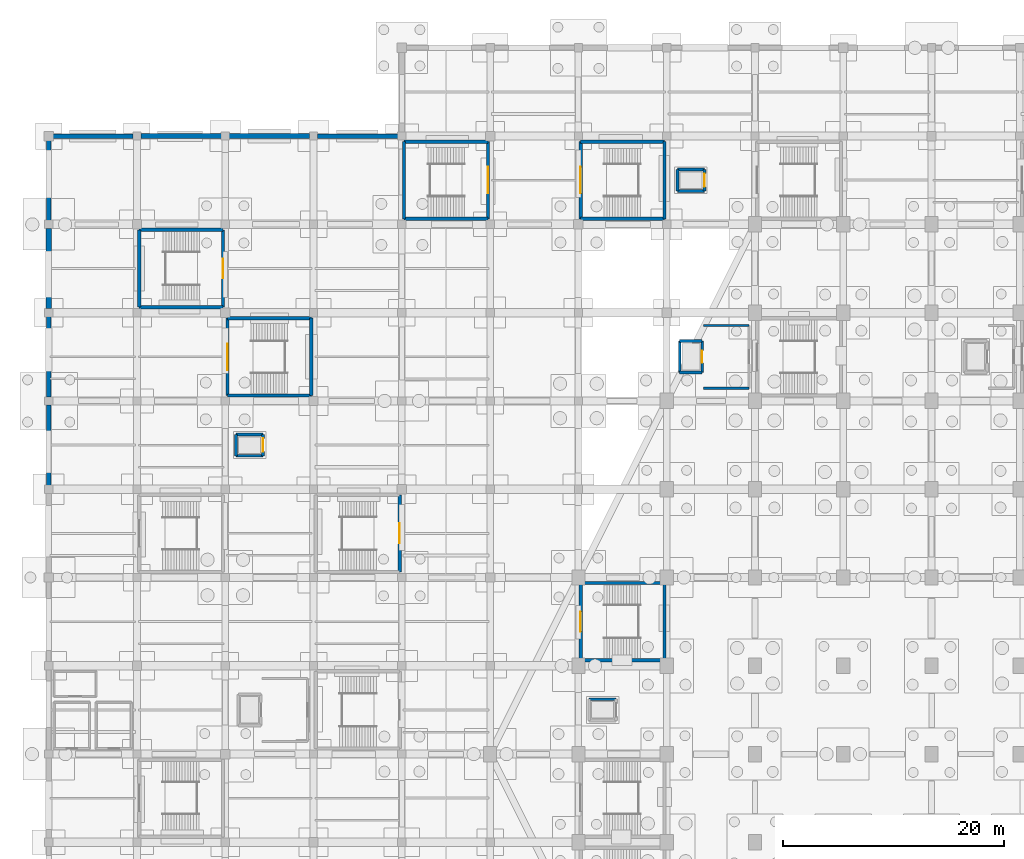
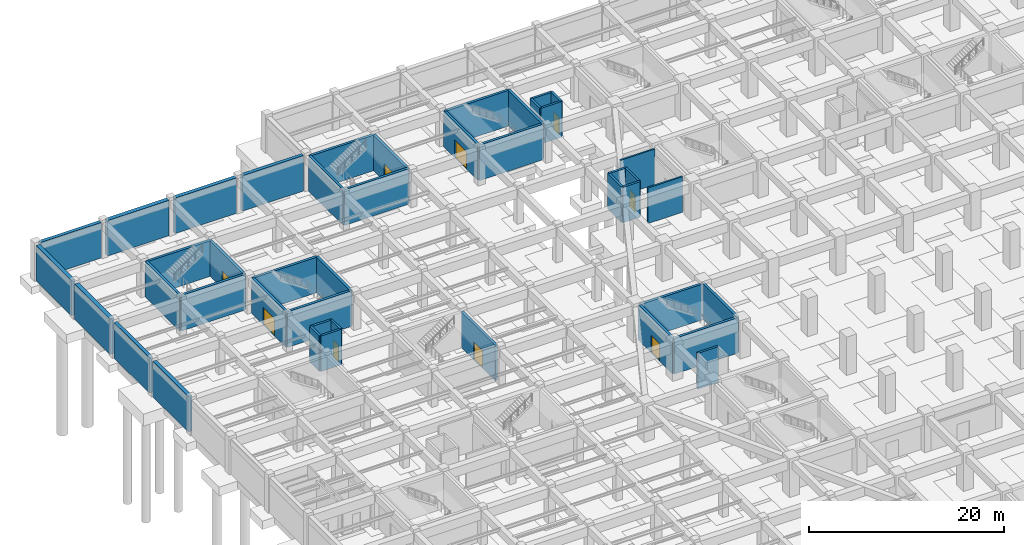
# One storey, part 26 of 36: 44 walls, 9 doors, 9 openings.
"""IFC4 building model written with IfcOpenShell, lengths in metres."""

from ifc_helpers import new_model, si_unit, direction, frame, frame_2d, origin, place, context, subcontext, project, spatial, rectangle, extrude, material, layer, layer_set, type_object, element, fill, save


model = new_model("IFC4")

# Units and contexts
model_context = context("Model", 3, precision=1e-05, world=origin(), true_north=direction((0.0, 1.0)))
body_context = subcontext(model_context, "Body", "Model", "MODEL_VIEW")
ifc_project = project(units=[si_unit("LENGTHUNIT", "METRE"), si_unit("AREAUNIT", "SQUARE_METRE"), si_unit("VOLUMEUNIT", "CUBIC_METRE"), si_unit("PLANEANGLEUNIT", "RADIAN"), si_unit("MASSUNIT", "GRAM", prefix="KILO")], contexts=[model_context])

# Site, building, storey
site_placement = place(None, origin())
site = spatial("IfcSite", under=ifc_project, at=site_placement, CompositionType="ELEMENT")
building_placement = place(site_placement, origin())
building = spatial("IfcBuilding", under=site, at=building_placement, Name="Tazarka Park Arena", CompositionType="ELEMENT")
storey_placement = place(building_placement, frame((0.0, 0.0, -4.800048828125)))
storey = spatial("IfcBuildingStorey", under=building, at=storey_placement, Name="B1", CompositionType="ELEMENT", Elevation=-4.800048828125)

# Wall
ifc_material_1 = material(Name="Concrete C40/50", Category="concrete")
ifc_layer_1 = layer(ifc_material_1, 0.300048828125, Name="Concrete C40/50")
ifc_layer_set_1 = layer_set([ifc_layer_1], Name="Concrete C40/50")
wall_type_1 = type_object("IfcWallType", Name="IWAL-CW-S1", PredefinedType="SHEAR", material=ifc_layer_set_1)
wall_1_placement = place(storey_placement, frame((23.800048828125, 96.5, 0.0), z_axis=(0.0, 0.0, 1.0), x_axis=(-1.0, 0.0, 0.0)))
element("IfcWall", 1, at=wall_1_placement, inside=storey, type_object=wall_type_1, Name="SCW-B1-ST03-S", PredefinedType="SHEAR", context=body_context, shape_type="SweptSolid", body=[
    extrude(rectangle(XDim=7.60009765625, YDim=0.300048828125, at=frame_2d((3.800048828125, 0.0))), origin(), (0.0, 0.0, 1.0), 4.4599609375),
])

# Wall, opening, door
wall_2_placement = place(storey_placement, frame((16.199951171875, 96.5, 0.0), z_axis=(0.0, 0.0, 1.0), x_axis=(0.0, 1.0, 0.0)))
wall_2 = element("IfcWall", 2, at=wall_2_placement, inside=storey, type_object=wall_type_1, Name="SCW-B1-ST03-W", PredefinedType="SHEAR", context=body_context, shape_type="SweptSolid", body=[
    extrude(rectangle(XDim=7.0, YDim=0.300048828125, at=frame_2d((3.5, 0.0))), origin(), (0.0, 0.0, 1.0), 4.4599609375),
])
opening_1_placement = place(wall_2_placement, frame((2.300048828125, 0.0, 0.0)))
opening_1 = element("IfcOpeningElement", 3, at=opening_1_placement, cuts=wall_2, Name="Opening ID-05", PredefinedType="OPENING", context=body_context, shape_type="SweptSolid", body=[
    extrude(rectangle(XDim=2.39990234375, YDim=2.199951171875, at=frame_2d((1.199951171875, 1.10009765625))), frame((0.0, 0.16015625, 0.0), z_axis=(0.0, -1.0, 0.0), x_axis=(1.0, 0.0, 0.0)), (0.0, 0.0, 1.0), 0.320068359375),
])
ifc_material_2 = material(Name="Fire-rated powder-coated steel and acoustic timber", Category="steel")
door_type_1 = type_object("IfcDoorType", Name="IDR-ID-05", OperationType="NOTDEFINED", PredefinedType="DOOR", material=ifc_material_2)
door_1_placement = place(opening_1_placement, frame((2.39990234375, 0.0, 0.0), z_axis=(0.0, 0.0, 1.0), x_axis=(-1.0, 0.0, 0.0)))
door_1 = element("IfcDoor", 4, at=door_1_placement, inside=storey, type_object=door_type_1, Name="Exit Stair Door ST03-B1", OperationType="DOUBLE_DOOR_SINGLE_SWING", OverallHeight=2.199951171875, OverallWidth=2.39990234375, PredefinedType="DOOR", context=body_context, shape_type="SweptSolid", body=[
    extrude(rectangle(XDim=2.39990234375, YDim=2.199951171875, at=frame_2d((1.199951171875, 1.10009765625))), frame((0.0, 0.02490234375, 0.0), z_axis=(0.0, -1.0, 0.0), x_axis=(1.0, 0.0, 0.0)), (0.0, 0.0, 1.0), 0.050048828125),
])
fill(opening_1, door_1)

# Walls
wall_3_placement = place(storey_placement, frame((16.199951171875, 103.5, 0.0), z_axis=(0.0, 0.0, 1.0), x_axis=(1.0, 0.0, 0.0)))
element("IfcWall", 5, at=wall_3_placement, inside=storey, type_object=wall_type_1, Name="SCW-B1-ST03-N", PredefinedType="SHEAR", context=body_context, shape_type="SweptSolid", body=[
    extrude(rectangle(XDim=7.60009765625, YDim=0.300048828125, at=frame_2d((3.800048828125, 0.0))), origin(), (0.0, 0.0, 1.0), 4.4599609375),
])
wall_4_placement = place(storey_placement, frame((23.800048828125, 103.5, 0.0), z_axis=(0.0, 0.0, 1.0), x_axis=(0.0, -1.0, 0.0)))
element("IfcWall", 6, at=wall_4_placement, inside=storey, type_object=wall_type_1, Name="SCW-B1-ST03-E", PredefinedType="SHEAR", context=body_context, shape_type="SweptSolid", body=[
    extrude(rectangle(XDim=7.0, YDim=0.300048828125, at=frame_2d((3.5, 0.0))), origin(), (0.0, 0.0, 1.0), 4.4599609375),
])
wall_5_placement = place(storey_placement, frame((39.800048828125, 112.5, 0.0), z_axis=(0.0, 0.0, 1.0), x_axis=(-1.0, 0.0, 0.0)))
element("IfcWall", 7, at=wall_5_placement, inside=storey, type_object=wall_type_1, Name="SCW-B1-ST04-S", PredefinedType="SHEAR", context=body_context, shape_type="SweptSolid", body=[
    extrude(rectangle(XDim=7.60009765625, YDim=0.300048828125, at=frame_2d((3.800048828125, 0.0))), origin(), (0.0, 0.0, 1.0), 4.4599609375),
])
wall_6_placement = place(storey_placement, frame((32.199951171875, 112.5, 0.0), z_axis=(0.0, 0.0, 1.0), x_axis=(0.0, 1.0, 0.0)))
element("IfcWall", 8, at=wall_6_placement, inside=storey, type_object=wall_type_1, Name="SCW-B1-ST04-W", PredefinedType="SHEAR", context=body_context, shape_type="SweptSolid", body=[
    extrude(rectangle(XDim=7.0, YDim=0.300048828125, at=frame_2d((3.5, 0.0))), origin(), (0.0, 0.0, 1.0), 4.4599609375),
])
wall_7_placement = place(storey_placement, frame((32.199951171875, 119.5, 0.0), z_axis=(0.0, 0.0, 1.0), x_axis=(1.0, 0.0, 0.0)))
element("IfcWall", 9, at=wall_7_placement, inside=storey, type_object=wall_type_1, Name="SCW-B1-ST04-N", PredefinedType="SHEAR", context=body_context, shape_type="SweptSolid", body=[
    extrude(rectangle(XDim=7.60009765625, YDim=0.300048828125, at=frame_2d((3.800048828125, 0.0))), origin(), (0.0, 0.0, 1.0), 4.4599609375),
])

# Wall, opening, door
wall_8_placement = place(storey_placement, frame((39.800048828125, 119.5, 0.0), z_axis=(0.0, 0.0, 1.0), x_axis=(0.0, -1.0, 0.0)))
wall_8 = element("IfcWall", 10, at=wall_8_placement, inside=storey, type_object=wall_type_1, Name="SCW-B1-ST04-E", PredefinedType="SHEAR", context=body_context, shape_type="SweptSolid", body=[
    extrude(rectangle(XDim=7.0, YDim=0.300048828125, at=frame_2d((3.5, 0.0))), origin(), (0.0, 0.0, 1.0), 4.4599609375),
])
opening_2_placement = place(wall_8_placement, frame((2.300048828125, 0.0, 0.0)))
opening_2 = element("IfcOpeningElement", 11, at=opening_2_placement, cuts=wall_8, Name="Opening ID-05", PredefinedType="OPENING", context=body_context, shape_type="SweptSolid", body=[
    extrude(rectangle(XDim=2.39990234375, YDim=2.199951171875, at=frame_2d((1.199951171875, 1.10009765625))), frame((0.0, 0.16015625, 0.0), z_axis=(0.0, -1.0, 0.0), x_axis=(1.0, 0.0, 0.0)), (0.0, 0.0, 1.0), 0.320068359375),
])
door_2_placement = place(opening_2_placement, frame((2.39990234375, 0.0, 0.0), z_axis=(0.0, 0.0, 1.0), x_axis=(-1.0, 0.0, 0.0)))
door_2 = element("IfcDoor", 12, at=door_2_placement, inside=storey, type_object=door_type_1, Name="Exit Stair Door ST04-B1", OperationType="DOUBLE_DOOR_SINGLE_SWING", OverallHeight=2.199951171875, OverallWidth=2.39990234375, PredefinedType="DOOR", context=body_context, shape_type="SweptSolid", body=[
    extrude(rectangle(XDim=2.39990234375, YDim=2.199951171875, at=frame_2d((1.199951171875, 1.10009765625))), frame((0.0, 0.02490234375, 0.0), z_axis=(0.0, -1.0, 0.0), x_axis=(1.0, 0.0, 0.0)), (0.0, 0.0, 1.0), 0.050048828125),
])
fill(opening_2, door_2)

# Wall
wall_9_placement = place(storey_placement, frame((55.800048828125, 112.5, 0.0), z_axis=(0.0, 0.0, 1.0), x_axis=(-1.0, 0.0, 0.0)))
element("IfcWall", 13, at=wall_9_placement, inside=storey, type_object=wall_type_1, Name="SCW-B1-ST05-S", PredefinedType="SHEAR", context=body_context, shape_type="SweptSolid", body=[
    extrude(rectangle(XDim=7.60009765625, YDim=0.300048828125, at=frame_2d((3.800048828125, 0.0))), origin(), (0.0, 0.0, 1.0), 4.4599609375),
])

# Wall, opening, door
wall_10_placement = place(storey_placement, frame((48.199951171875, 112.5, 0.0), z_axis=(0.0, 0.0, 1.0), x_axis=(0.0, 1.0, 0.0)))
wall_10 = element("IfcWall", 14, at=wall_10_placement, inside=storey, type_object=wall_type_1, Name="SCW-B1-ST05-W", PredefinedType="SHEAR", context=body_context, shape_type="SweptSolid", body=[
    extrude(rectangle(XDim=7.0, YDim=0.300048828125, at=frame_2d((3.5, 0.0))), origin(), (0.0, 0.0, 1.0), 4.4599609375),
])
opening_3_placement = place(wall_10_placement, frame((2.300048828125, 0.0, 0.0)))
opening_3 = element("IfcOpeningElement", 15, at=opening_3_placement, cuts=wall_10, Name="Opening ID-05", PredefinedType="OPENING", context=body_context, shape_type="SweptSolid", body=[
    extrude(rectangle(XDim=2.39990234375, YDim=2.199951171875, at=frame_2d((1.199951171875, 1.10009765625))), frame((0.0, 0.16015625, 0.0), z_axis=(0.0, -1.0, 0.0), x_axis=(1.0, 0.0, 0.0)), (0.0, 0.0, 1.0), 0.320068359375),
])
door_3_placement = place(opening_3_placement, frame((2.39990234375, 0.0, 0.0), z_axis=(0.0, 0.0, 1.0), x_axis=(-1.0, 0.0, 0.0)))
door_3 = element("IfcDoor", 16, at=door_3_placement, inside=storey, type_object=door_type_1, Name="Exit Stair Door ST05-B1", OperationType="DOUBLE_DOOR_SINGLE_SWING", OverallHeight=2.199951171875, OverallWidth=2.39990234375, PredefinedType="DOOR", context=body_context, shape_type="SweptSolid", body=[
    extrude(rectangle(XDim=2.39990234375, YDim=2.199951171875, at=frame_2d((1.199951171875, 1.10009765625))), frame((0.0, 0.02490234375, 0.0), z_axis=(0.0, -1.0, 0.0), x_axis=(1.0, 0.0, 0.0)), (0.0, 0.0, 1.0), 0.050048828125),
])
fill(opening_3, door_3)

# Walls
wall_11_placement = place(storey_placement, frame((48.199951171875, 119.5, 0.0), z_axis=(0.0, 0.0, 1.0), x_axis=(1.0, 0.0, 0.0)))
element("IfcWall", 17, at=wall_11_placement, inside=storey, type_object=wall_type_1, Name="SCW-B1-ST05-N", PredefinedType="SHEAR", context=body_context, shape_type="SweptSolid", body=[
    extrude(rectangle(XDim=7.60009765625, YDim=0.300048828125, at=frame_2d((3.800048828125, 0.0))), origin(), (0.0, 0.0, 1.0), 4.4599609375),
])
wall_12_placement = place(storey_placement, frame((55.800048828125, 119.5, 0.0), z_axis=(0.0, 0.0, 1.0), x_axis=(0.0, -1.0, 0.0)))
element("IfcWall", 18, at=wall_12_placement, inside=storey, type_object=wall_type_1, Name="SCW-B1-ST05-E", PredefinedType="SHEAR", context=body_context, shape_type="SweptSolid", body=[
    extrude(rectangle(XDim=7.0, YDim=0.300048828125, at=frame_2d((3.5, 0.0))), origin(), (0.0, 0.0, 1.0), 4.4599609375),
])
wall_13_placement = place(storey_placement, frame((55.800048828125, 72.5, 0.0), z_axis=(0.0, 0.0, 1.0), x_axis=(-1.0, 0.0, 0.0)))
element("IfcWall", 19, at=wall_13_placement, inside=storey, type_object=wall_type_1, Name="SCW-B1-ST20-S", PredefinedType="SHEAR", context=body_context, shape_type="SweptSolid", body=[
    extrude(rectangle(XDim=7.60009765625, YDim=0.300048828125, at=frame_2d((3.800048828125, 0.0))), origin(), (0.0, 0.0, 1.0), 4.4599609375),
])

# Wall, opening, door
wall_14_placement = place(storey_placement, frame((48.199951171875, 72.5, 0.0), z_axis=(0.0, 0.0, 1.0), x_axis=(0.0, 1.0, 0.0)))
wall_14 = element("IfcWall", 20, at=wall_14_placement, inside=storey, type_object=wall_type_1, Name="SCW-B1-ST20-W", PredefinedType="SHEAR", context=body_context, shape_type="SweptSolid", body=[
    extrude(rectangle(XDim=7.0, YDim=0.300048828125, at=frame_2d((3.5, 0.0))), origin(), (0.0, 0.0, 1.0), 4.4599609375),
])
opening_4_placement = place(wall_14_placement, frame((2.60009765625, 0.0, 0.0)))
opening_4 = element("IfcOpeningElement", 21, at=opening_4_placement, cuts=wall_14, Name="Opening ID-04", PredefinedType="OPENING", context=body_context, shape_type="SweptSolid", body=[
    extrude(rectangle(XDim=1.800048828125, YDim=2.199951171875, at=frame_2d((0.89990234375, 1.10009765625))), frame((0.0, 0.16015625, 0.0), z_axis=(0.0, -1.0, 0.0), x_axis=(1.0, 0.0, 0.0)), (0.0, 0.0, 1.0), 0.320068359375),
])
ifc_material_3 = material(Name="Fire-rated powder-coated steel and acoustic timber", Category="steel")
door_type_2 = type_object("IfcDoorType", Name="IDR-ID-04", OperationType="NOTDEFINED", PredefinedType="DOOR", material=ifc_material_3)
door_4_placement = place(opening_4_placement, frame((1.800048828125, 0.0, 0.0), z_axis=(0.0, 0.0, 1.0), x_axis=(-1.0, 0.0, 0.0)))
door_4 = element("IfcDoor", 22, at=door_4_placement, inside=storey, type_object=door_type_2, Name="Vomitory Stair Door ST20-B1", OperationType="DOUBLE_DOOR_SINGLE_SWING", OverallHeight=2.199951171875, OverallWidth=1.800048828125, PredefinedType="DOOR", context=body_context, shape_type="SweptSolid", body=[
    extrude(rectangle(XDim=1.800048828125, YDim=2.199951171875, at=frame_2d((0.89990234375, 1.10009765625))), frame((0.0, 0.02490234375, 0.0), z_axis=(0.0, -1.0, 0.0), x_axis=(1.0, 0.0, 0.0)), (0.0, 0.0, 1.0), 0.050048828125),
])
fill(opening_4, door_4)

# Walls
wall_15_placement = place(storey_placement, frame((48.199951171875, 79.5, 0.0), z_axis=(0.0, 0.0, 1.0), x_axis=(1.0, 0.0, 0.0)))
element("IfcWall", 23, at=wall_15_placement, inside=storey, type_object=wall_type_1, Name="SCW-B1-ST20-N", PredefinedType="SHEAR", context=body_context, shape_type="SweptSolid", body=[
    extrude(rectangle(XDim=7.60009765625, YDim=0.300048828125, at=frame_2d((3.800048828125, 0.0))), origin(), (0.0, 0.0, 1.0), 4.4599609375),
])
wall_16_placement = place(storey_placement, frame((55.800048828125, 79.5, 0.0), z_axis=(0.0, 0.0, 1.0), x_axis=(0.0, -1.0, 0.0)))
element("IfcWall", 24, at=wall_16_placement, inside=storey, type_object=wall_type_1, Name="SCW-B1-ST20-E", PredefinedType="SHEAR", context=body_context, shape_type="SweptSolid", body=[
    extrude(rectangle(XDim=7.0, YDim=0.300048828125, at=frame_2d((3.5, 0.0))), origin(), (0.0, 0.0, 1.0), 4.4599609375),
])
wall_17_placement = place(storey_placement, frame((15.800048828125, 104.5, 0.0), z_axis=(0.0, 0.0, 1.0), x_axis=(-1.0, 0.0, 0.0)))
element("IfcWall", 25, at=wall_17_placement, inside=storey, type_object=wall_type_1, Name="SCW-B1-ST25-S", PredefinedType="SHEAR", context=body_context, shape_type="SweptSolid", body=[
    extrude(rectangle(XDim=7.60009765625, YDim=0.300048828125, at=frame_2d((3.800048828125, 0.0))), origin(), (0.0, 0.0, 1.0), 4.4599609375),
])
wall_18_placement = place(storey_placement, frame((8.199951171875, 104.5, 0.0), z_axis=(0.0, 0.0, 1.0), x_axis=(0.0, 1.0, 0.0)))
element("IfcWall", 26, at=wall_18_placement, inside=storey, type_object=wall_type_1, Name="SCW-B1-ST25-W", PredefinedType="SHEAR", context=body_context, shape_type="SweptSolid", body=[
    extrude(rectangle(XDim=7.0, YDim=0.300048828125, at=frame_2d((3.5, 0.0))), origin(), (0.0, 0.0, 1.0), 4.4599609375),
])
wall_19_placement = place(storey_placement, frame((8.199951171875, 111.5, 0.0), z_axis=(0.0, 0.0, 1.0), x_axis=(1.0, 0.0, 0.0)))
element("IfcWall", 27, at=wall_19_placement, inside=storey, type_object=wall_type_1, Name="SCW-B1-ST25-N", PredefinedType="SHEAR", context=body_context, shape_type="SweptSolid", body=[
    extrude(rectangle(XDim=7.60009765625, YDim=0.300048828125, at=frame_2d((3.800048828125, 0.0))), origin(), (0.0, 0.0, 1.0), 4.4599609375),
])

# Wall, opening, door
wall_20_placement = place(storey_placement, frame((15.800048828125, 111.5, 0.0), z_axis=(0.0, 0.0, 1.0), x_axis=(0.0, -1.0, 0.0)))
wall_20 = element("IfcWall", 28, at=wall_20_placement, inside=storey, type_object=wall_type_1, Name="SCW-B1-ST25-E", PredefinedType="SHEAR", context=body_context, shape_type="SweptSolid", body=[
    extrude(rectangle(XDim=7.0, YDim=0.300048828125, at=frame_2d((3.5, 0.0))), origin(), (0.0, 0.0, 1.0), 4.4599609375),
])
opening_5_placement = place(wall_20_placement, frame((2.60009765625, 0.0, 0.0)))
opening_5 = element("IfcOpeningElement", 29, at=opening_5_placement, cuts=wall_20, Name="Opening ID-04", PredefinedType="OPENING", context=body_context, shape_type="SweptSolid", body=[
    extrude(rectangle(XDim=1.800048828125, YDim=2.199951171875, at=frame_2d((0.89990234375, 1.10009765625))), frame((0.0, 0.16015625, 0.0), z_axis=(0.0, -1.0, 0.0), x_axis=(1.0, 0.0, 0.0)), (0.0, 0.0, 1.0), 0.320068359375),
])
door_5_placement = place(opening_5_placement, frame((1.800048828125, 0.0, 0.0), z_axis=(0.0, 0.0, 1.0), x_axis=(-1.0, 0.0, 0.0)))
door_5 = element("IfcDoor", 30, at=door_5_placement, inside=storey, type_object=door_type_2, Name="Vomitory Stair Door ST25-B1", OperationType="DOUBLE_DOOR_SINGLE_SWING", OverallHeight=2.199951171875, OverallWidth=1.800048828125, PredefinedType="DOOR", context=body_context, shape_type="SweptSolid", body=[
    extrude(rectangle(XDim=1.800048828125, YDim=2.199951171875, at=frame_2d((0.89990234375, 1.10009765625))), frame((0.0, 0.02490234375, 0.0), z_axis=(0.0, -1.0, 0.0), x_axis=(1.0, 0.0, 0.0)), (0.0, 0.0, 1.0), 0.050048828125),
])
fill(opening_5, door_5)

wall_21_placement = place(storey_placement, frame((31.800048828125, 87.5, 0.0), z_axis=(0.0, 0.0, 1.0), x_axis=(0.0, -1.0, 0.0)))
wall_21 = element("IfcWall", 31, at=wall_21_placement, inside=storey, type_object=wall_type_1, Name="SCW-B1-ST26-E", PredefinedType="SHEAR", context=body_context, shape_type="SweptSolid", body=[
    extrude(rectangle(XDim=7.0, YDim=0.300048828125, at=frame_2d((3.5, 0.0))), origin(), (0.0, 0.0, 1.0), 4.4599609375),
])
opening_6_placement = place(wall_21_placement, frame((2.60009765625, 0.0, 0.0)))
opening_6 = element("IfcOpeningElement", 32, at=opening_6_placement, cuts=wall_21, Name="Opening ID-04", PredefinedType="OPENING", context=body_context, shape_type="SweptSolid", body=[
    extrude(rectangle(XDim=1.800048828125, YDim=2.199951171875, at=frame_2d((0.89990234375, 1.10009765625))), frame((0.0, 0.16015625, 0.0), z_axis=(0.0, -1.0, 0.0), x_axis=(1.0, 0.0, 0.0)), (0.0, 0.0, 1.0), 0.320068359375),
])
door_6_placement = place(opening_6_placement, frame((1.800048828125, 0.0, 0.0), z_axis=(0.0, 0.0, 1.0), x_axis=(-1.0, 0.0, 0.0)))
door_6 = element("IfcDoor", 33, at=door_6_placement, inside=storey, type_object=door_type_2, Name="Vomitory Stair Door ST26-B1", OperationType="DOUBLE_DOOR_SINGLE_SWING", OverallHeight=2.199951171875, OverallWidth=1.800048828125, PredefinedType="DOOR", context=body_context, shape_type="SweptSolid", body=[
    extrude(rectangle(XDim=1.800048828125, YDim=2.199951171875, at=frame_2d((0.89990234375, 1.10009765625))), frame((0.0, 0.02490234375, 0.0), z_axis=(0.0, -1.0, 0.0), x_axis=(1.0, 0.0, 0.0)), (0.0, 0.0, 1.0), 0.050048828125),
])
fill(opening_6, door_6)

# Walls
ifc_material_4 = material(Name="Concrete C40/50", Category="concrete")
ifc_layer_2 = layer(ifc_material_4, 0.260009765625, Name="Concrete C40/50")
ifc_layer_set_2 = layer_set([ifc_layer_2], Name="Concrete C40/50")
wall_type_2 = type_object("IfcWallType", Name="IWAL-CW-S3", PredefinedType="SHEAR", material=ifc_layer_set_2)
wall_22_placement = place(storey_placement, frame((57.179931640625, 98.580078125, 0.0), z_axis=(0.0, 0.0, 1.0), x_axis=(0.0, 1.0, 0.0)))
element("IfcWall", 34, at=wall_22_placement, inside=storey, type_object=wall_type_2, Name="LSW-B1-LF-02-W", PredefinedType="SHEAR", context=body_context, shape_type="SweptSolid", body=[
    extrude(rectangle(XDim=2.83984375, YDim=0.260009765625, at=frame_2d((1.419921875, 0.0))), origin(), (0.0, 0.0, 1.0), 4.4599609375),
])
for number, where, z_axis, x_axis, name in (
    (35, (57.179931640625, 101.419921875, 0.0), (0.0, 0.0, 1.0), (1.0, 0.0, 0.0), "LSW-B1-LF-02-N"),
    (36, (59.219970703125, 98.580078125, 0.0), (0.0, 0.0, 1.0), (-1.0, 0.0, 0.0), "LSW-B1-LF-02-S"),
):
    element("IfcWall", number, at=place(storey_placement, frame(where, z_axis=z_axis, x_axis=x_axis)), inside=storey, type_object=wall_type_2, Name=name, PredefinedType="SHEAR", context=body_context, shape_type="SweptSolid", body=[
        extrude(rectangle(XDim=2.0400390625, YDim=0.260009765625, at=frame_2d((1.02001953125, 0.0))), origin(), (0.0, 0.0, 1.0), 4.4599609375),
    ])

# Wall, opening, door
wall_23_placement = place(storey_placement, frame((59.219970703125, 101.419921875, 0.0), z_axis=(0.0, 0.0, 1.0), x_axis=(0.0, -1.0, 0.0)))
wall_23 = element("IfcWall", 37, at=wall_23_placement, inside=storey, type_object=wall_type_2, Name="LSW-B1-LF-02-E", PredefinedType="SHEAR", context=body_context, shape_type="SweptSolid", body=[
    extrude(rectangle(XDim=2.83984375, YDim=0.260009765625, at=frame_2d((1.419921875, 0.0))), origin(), (0.0, 0.0, 1.0), 4.4599609375),
])
opening_7_placement = place(wall_23_placement, frame((0.8701171875, 0.0, 0.0)))
opening_7 = element("IfcOpeningElement", 38, at=opening_7_placement, cuts=wall_23, Name="Opening LD-01", PredefinedType="OPENING", context=body_context, shape_type="SweptSolid", body=[
    extrude(rectangle(XDim=1.10009765625, YDim=2.14990234375, at=frame_2d((0.550048828125, 1.074951171875))), frame((0.0, 0.14013671875, 0.0), z_axis=(0.0, -1.0, 0.0), x_axis=(1.0, 0.0, 0.0)), (0.0, 0.0, 1.0), 0.280029296875),
])
ifc_material_5 = material(Name="Fire-rated powder-coated steel and acoustic timber", Category="steel")
door_type_3 = type_object("IfcDoorType", Name="IDR-LD-01", OperationType="NOTDEFINED", PredefinedType="DOOR", material=ifc_material_5)
door_7_placement = place(opening_7_placement, origin())
door_7 = element("IfcDoor", 39, at=door_7_placement, inside=storey, type_object=door_type_3, Name="Lift Landing Door LF-02-B1", OperationType="SLIDING_TO_LEFT", OverallHeight=2.14990234375, OverallWidth=1.10009765625, PredefinedType="DOOR", context=body_context, shape_type="SweptSolid", body=[
    extrude(rectangle(XDim=1.10009765625, YDim=2.14990234375, at=frame_2d((0.550048828125, 1.074951171875))), frame((0.0, 0.02490234375, 0.0), z_axis=(0.0, -1.0, 0.0), x_axis=(1.0, 0.0, 0.0)), (0.0, 0.0, 1.0), 0.050048828125),
])
fill(opening_7, door_7)

# Walls
wall_24_placement = place(storey_placement, frame((16.97998046875, 91.030029296875, 0.0), z_axis=(0.0, 0.0, 1.0), x_axis=(0.0, 1.0, 0.0)))
element("IfcWall", 40, at=wall_24_placement, inside=storey, type_object=wall_type_2, Name="LSW-B1-LF-06-W", PredefinedType="SHEAR", context=body_context, shape_type="SweptSolid", body=[
    extrude(rectangle(XDim=1.93994140625, YDim=0.260009765625, at=frame_2d((0.969970703125, 0.0))), origin(), (0.0, 0.0, 1.0), 4.4599609375),
])
for number, where, z_axis, x_axis, name in (
    (41, (16.97998046875, 92.969970703125, 0.0), (0.0, 0.0, 1.0), (1.0, 0.0, 0.0), "LSW-B1-LF-06-N"),
    (42, (19.419921875, 91.030029296875, 0.0), (0.0, 0.0, 1.0), (-1.0, 0.0, 0.0), "LSW-B1-LF-06-S"),
):
    element("IfcWall", number, at=place(storey_placement, frame(where, z_axis=z_axis, x_axis=x_axis)), inside=storey, type_object=wall_type_2, Name=name, PredefinedType="SHEAR", context=body_context, shape_type="SweptSolid", body=[
        extrude(rectangle(XDim=2.43994140625, YDim=0.260009765625, at=frame_2d((1.219970703125, 0.0))), origin(), (0.0, 0.0, 1.0), 4.4599609375),
    ])

# Wall, opening, door
wall_25_placement = place(storey_placement, frame((19.419921875, 92.969970703125, 0.0), z_axis=(0.0, 0.0, 1.0), x_axis=(0.0, -1.0, 0.0)))
wall_25 = element("IfcWall", 43, at=wall_25_placement, inside=storey, type_object=wall_type_2, Name="LSW-B1-LF-06-E", PredefinedType="SHEAR", context=body_context, shape_type="SweptSolid", body=[
    extrude(rectangle(XDim=1.93994140625, YDim=0.260009765625, at=frame_2d((0.969970703125, 0.0))), origin(), (0.0, 0.0, 1.0), 4.4599609375),
])
opening_8_placement = place(wall_25_placement, frame((0.3701171875, 0.0, 0.0)))
opening_8 = element("IfcOpeningElement", 44, at=opening_8_placement, cuts=wall_25, Name="Opening LD-02", PredefinedType="OPENING", context=body_context, shape_type="SweptSolid", body=[
    extrude(rectangle(XDim=1.199951171875, YDim=2.14990234375, at=frame_2d((0.60009765625, 1.074951171875))), frame((0.0, 0.14013671875, 0.0), z_axis=(0.0, -1.0, 0.0), x_axis=(1.0, 0.0, 0.0)), (0.0, 0.0, 1.0), 0.280029296875),
])
ifc_material_6 = material(Name="Fire-rated powder-coated steel and acoustic timber", Category="steel")
door_type_4 = type_object("IfcDoorType", Name="IDR-LD-02", OperationType="NOTDEFINED", PredefinedType="DOOR", material=ifc_material_6)
door_8_placement = place(opening_8_placement, origin())
door_8 = element("IfcDoor", 45, at=door_8_placement, inside=storey, type_object=door_type_4, Name="Lift Landing Door LF-06-B1", OperationType="SLIDING_TO_LEFT", OverallHeight=2.14990234375, OverallWidth=1.199951171875, PredefinedType="DOOR", context=body_context, shape_type="SweptSolid", body=[
    extrude(rectangle(XDim=1.199951171875, YDim=2.14990234375, at=frame_2d((0.60009765625, 1.074951171875))), frame((0.0, 0.02490234375, 0.0), z_axis=(0.0, -1.0, 0.0), x_axis=(1.0, 0.0, 0.0)), (0.0, 0.0, 1.0), 0.050048828125),
])
fill(opening_8, door_8)

# Walls
wall_26_placement = place(storey_placement, frame((56.97998046875, 115.030029296875, 0.0), z_axis=(0.0, 0.0, 1.0), x_axis=(0.0, 1.0, 0.0)))
element("IfcWall", 46, at=wall_26_placement, inside=storey, type_object=wall_type_2, Name="LSW-B1-LF-07-W", PredefinedType="SHEAR", context=body_context, shape_type="SweptSolid", body=[
    extrude(rectangle(XDim=1.93994140625, YDim=0.260009765625, at=frame_2d((0.969970703125, 0.0))), origin(), (0.0, 0.0, 1.0), 4.4599609375),
])
for number, where, z_axis, x_axis, name in (
    (47, (56.97998046875, 116.969970703125, 0.0), (0.0, 0.0, 1.0), (1.0, 0.0, 0.0), "LSW-B1-LF-07-N"),
    (48, (59.419921875, 115.030029296875, 0.0), (0.0, 0.0, 1.0), (-1.0, 0.0, 0.0), "LSW-B1-LF-07-S"),
):
    element("IfcWall", number, at=place(storey_placement, frame(where, z_axis=z_axis, x_axis=x_axis)), inside=storey, type_object=wall_type_2, Name=name, PredefinedType="SHEAR", context=body_context, shape_type="SweptSolid", body=[
        extrude(rectangle(XDim=2.43994140625, YDim=0.260009765625, at=frame_2d((1.219970703125, 0.0))), origin(), (0.0, 0.0, 1.0), 4.4599609375),
    ])

# Wall, opening, door
wall_27_placement = place(storey_placement, frame((59.419921875, 116.969970703125, 0.0), z_axis=(0.0, 0.0, 1.0), x_axis=(0.0, -1.0, 0.0)))
wall_27 = element("IfcWall", 49, at=wall_27_placement, inside=storey, type_object=wall_type_2, Name="LSW-B1-LF-07-E", PredefinedType="SHEAR", context=body_context, shape_type="SweptSolid", body=[
    extrude(rectangle(XDim=1.93994140625, YDim=0.260009765625, at=frame_2d((0.969970703125, 0.0))), origin(), (0.0, 0.0, 1.0), 4.4599609375),
])
opening_9_placement = place(wall_27_placement, frame((0.3701171875, 0.0, 0.0)))
opening_9 = element("IfcOpeningElement", 50, at=opening_9_placement, cuts=wall_27, Name="Opening LD-02", PredefinedType="OPENING", context=body_context, shape_type="SweptSolid", body=[
    extrude(rectangle(XDim=1.199951171875, YDim=2.14990234375, at=frame_2d((0.60009765625, 1.074951171875))), frame((0.0, 0.14013671875, 0.0), z_axis=(0.0, -1.0, 0.0), x_axis=(1.0, 0.0, 0.0)), (0.0, 0.0, 1.0), 0.280029296875),
])
door_9_placement = place(opening_9_placement, origin())
door_9 = element("IfcDoor", 51, at=door_9_placement, inside=storey, type_object=door_type_4, Name="Lift Landing Door LF-07-B1", OperationType="SLIDING_TO_LEFT", OverallHeight=2.14990234375, OverallWidth=1.199951171875, PredefinedType="DOOR", context=body_context, shape_type="SweptSolid", body=[
    extrude(rectangle(XDim=1.199951171875, YDim=2.14990234375, at=frame_2d((0.60009765625, 1.074951171875))), frame((0.0, 0.02490234375, 0.0), z_axis=(0.0, -1.0, 0.0), x_axis=(1.0, 0.0, 0.0)), (0.0, 0.0, 1.0), 0.050048828125),
])
fill(opening_9, door_9)

# Walls
wall_28_placement = place(storey_placement, frame((48.97998046875, 68.969970703125, 0.0), z_axis=(0.0, 0.0, 1.0), x_axis=(1.0, 0.0, 0.0)))
element("IfcWall", 52, at=wall_28_placement, inside=storey, type_object=wall_type_2, Name="LSW-B1-LF-09-N", PredefinedType="SHEAR", context=body_context, shape_type="SweptSolid", body=[
    extrude(rectangle(XDim=2.43994140625, YDim=0.260009765625, at=frame_2d((1.219970703125, 0.0))), origin(), (0.0, 0.0, 1.0), 4.4599609375),
])
ifc_material_7 = material(Name="Reinforced masonry compartment wall", Category="masonry")
ifc_layer_3 = layer(ifc_material_7, 0.199951171875, Name="Reinforced masonry compartment wall")
ifc_layer_set_3 = layer_set([ifc_layer_3], Name="Reinforced masonry compartment wall")
wall_type_3 = type_object("IfcWallType", Name="IWAL-PT-04", PredefinedType="PARTITIONING", material=ifc_layer_set_3)
for number, where, z_axis, x_axis, name in (
    (53, (59.35009765625, 102.85009765625, 0.0), (0.0, 0.0, 1.0), (1.0, 0.0, 0.0), "FFW-B1-LF-02-N"),
    (54, (63.449951171875, 97.14990234375, 0.0), (0.0, 0.0, 1.0), (-1.0, 0.0, 0.0), "FFW-B1-LF-02-S"),
):
    element("IfcWall", number, at=place(storey_placement, frame(where, z_axis=z_axis, x_axis=x_axis)), inside=storey, type_object=wall_type_3, Name=name, PredefinedType="PARTITIONING", context=body_context, shape_type="SweptSolid", body=[
        extrude(rectangle(XDim=4.099853515625, YDim=0.199951171875, at=frame_2d((2.0498046875, 0.0))), origin(), (0.0, 0.0, 1.0), 4.4599609375),
    ])
ifc_material_8 = material(Name="Concrete C35/45", Category="concrete")
ifc_layer_4 = layer(ifc_material_8, 0.39990234375, Name="Concrete C35/45")
ifc_layer_set_4 = layer_set([ifc_layer_4], Name="Concrete C35/45")
wall_type_4 = type_object("IfcWallType", Name="WAL-RW-01", PredefinedType="USERDEFINED", material=ifc_layer_set_4)
wall_29_placement = place(storey_placement, frame((24.35498046875, 120.0, 0.0), z_axis=(0.0, 0.0, 1.0), x_axis=(1.0, 0.0, 0.0)))
element("IfcWall", 55, at=wall_29_placement, inside=storey, type_object=wall_type_4, Name="EW-B1-0042", ObjectType="RETAININGWALL", PredefinedType="USERDEFINED", context=body_context, shape_type="SweptSolid", body=[
    extrude(rectangle(XDim=7.2900390625, YDim=0.39990234375, at=frame_2d((3.64501953125, 0.0))), origin(), (0.0, 0.0, 1.0), 4.4599609375),
])
wall_30_placement = place(storey_placement, frame((0.405029296875, 120.0, 0.0), z_axis=(0.0, 0.0, 1.0), x_axis=(1.0, 0.0, 0.0)))
element("IfcWall", 56, at=wall_30_placement, inside=storey, type_object=wall_type_4, Name="EW-B1-0045", ObjectType="RETAININGWALL", PredefinedType="USERDEFINED", context=body_context, shape_type="SweptSolid", body=[
    extrude(rectangle(XDim=7.239990234375, YDim=0.39990234375, at=frame_2d((3.6201171875, 0.0))), origin(), (0.0, 0.0, 1.0), 4.4599609375),
])
wall_31_placement = place(storey_placement, frame((0.0, 96.35498046875, 0.0), z_axis=(0.0, 0.0, 1.0), x_axis=(0.0, 1.0, 0.0)))
element("IfcWall", 57, at=wall_31_placement, inside=storey, type_object=wall_type_4, Name="EW-B1-0048", ObjectType="RETAININGWALL", PredefinedType="USERDEFINED", context=body_context, shape_type="SweptSolid", body=[
    extrude(rectangle(XDim=7.2900390625, YDim=0.39990234375, at=frame_2d((3.64501953125, 0.0))), origin(), (0.0, 0.0, 1.0), 4.4599609375),
])
ifc_material_9 = material(Name="Concrete C35/45", Category="concrete")
ifc_layer_5 = layer(ifc_material_9, 0.43994140625, Name="Concrete C35/45")
ifc_layer_set_5 = layer_set([ifc_layer_5], Name="Concrete C35/45")
wall_type_5 = type_object("IfcWallType", Name="WAL-RW-02", PredefinedType="USERDEFINED", material=ifc_layer_set_5)
wall_32_placement = place(storey_placement, frame((16.35498046875, 120.0, 0.0), z_axis=(0.0, 0.0, 1.0), x_axis=(1.0, 0.0, 0.0)))
element("IfcWall", 58, at=wall_32_placement, inside=storey, type_object=wall_type_5, Name="EW-B1-0043", ObjectType="RETAININGWALL", PredefinedType="USERDEFINED", context=body_context, shape_type="SweptSolid", body=[
    extrude(rectangle(XDim=7.2900390625, YDim=0.43994140625, at=frame_2d((3.64501953125, 0.0))), origin(), (0.0, 0.0, 1.0), 4.4599609375),
])
wall_33_placement = place(storey_placement, frame((0.0, 112.35498046875, 0.0), z_axis=(0.0, 0.0, 1.0), x_axis=(0.0, 1.0, 0.0)))
element("IfcWall", 59, at=wall_33_placement, inside=storey, type_object=wall_type_5, Name="EW-B1-0046", ObjectType="RETAININGWALL", PredefinedType="USERDEFINED", context=body_context, shape_type="SweptSolid", body=[
    extrude(rectangle(XDim=7.239990234375, YDim=0.43994140625, at=frame_2d((3.6201171875, 0.0))), origin(), (0.0, 0.0, 1.0), 4.4599609375),
])
wall_34_placement = place(storey_placement, frame((0.0, 88.35498046875, 0.0), z_axis=(0.0, 0.0, 1.0), x_axis=(0.0, 1.0, 0.0)))
element("IfcWall", 60, at=wall_34_placement, inside=storey, type_object=wall_type_5, Name="EW-B1-0049", ObjectType="RETAININGWALL", PredefinedType="USERDEFINED", context=body_context, shape_type="SweptSolid", body=[
    extrude(rectangle(XDim=7.2900390625, YDim=0.43994140625, at=frame_2d((3.64501953125, 0.0))), origin(), (0.0, 0.0, 1.0), 4.4599609375),
])
ifc_material_10 = material(Name="Concrete C35/45", Category="concrete")
ifc_layer_6 = layer(ifc_material_10, 0.47998046875, Name="Concrete C35/45")
ifc_layer_set_6 = layer_set([ifc_layer_6], Name="Concrete C35/45")
wall_type_6 = type_object("IfcWallType", Name="WAL-RW-03", PredefinedType="USERDEFINED", material=ifc_layer_set_6)
for number, where, z_axis, x_axis, name in (
    (61, (8.35498046875, 120.0, 0.0), (0.0, 0.0, 1.0), (1.0, 0.0, 0.0), "EW-B1-0044"),
    (62, (0.0, 104.35498046875, 0.0), (0.0, 0.0, 1.0), (0.0, 1.0, 0.0), "EW-B1-0047"),
):
    element("IfcWall", number, at=place(storey_placement, frame(where, z_axis=z_axis, x_axis=x_axis)), inside=storey, type_object=wall_type_6, Name=name, ObjectType="RETAININGWALL", PredefinedType="USERDEFINED", context=body_context, shape_type="SweptSolid", body=[
        extrude(rectangle(XDim=7.2900390625, YDim=0.47998046875, at=frame_2d((3.64501953125, 0.0))), origin(), (0.0, 0.0, 1.0), 4.4599609375),
    ])

save(model, "model.ifc")
